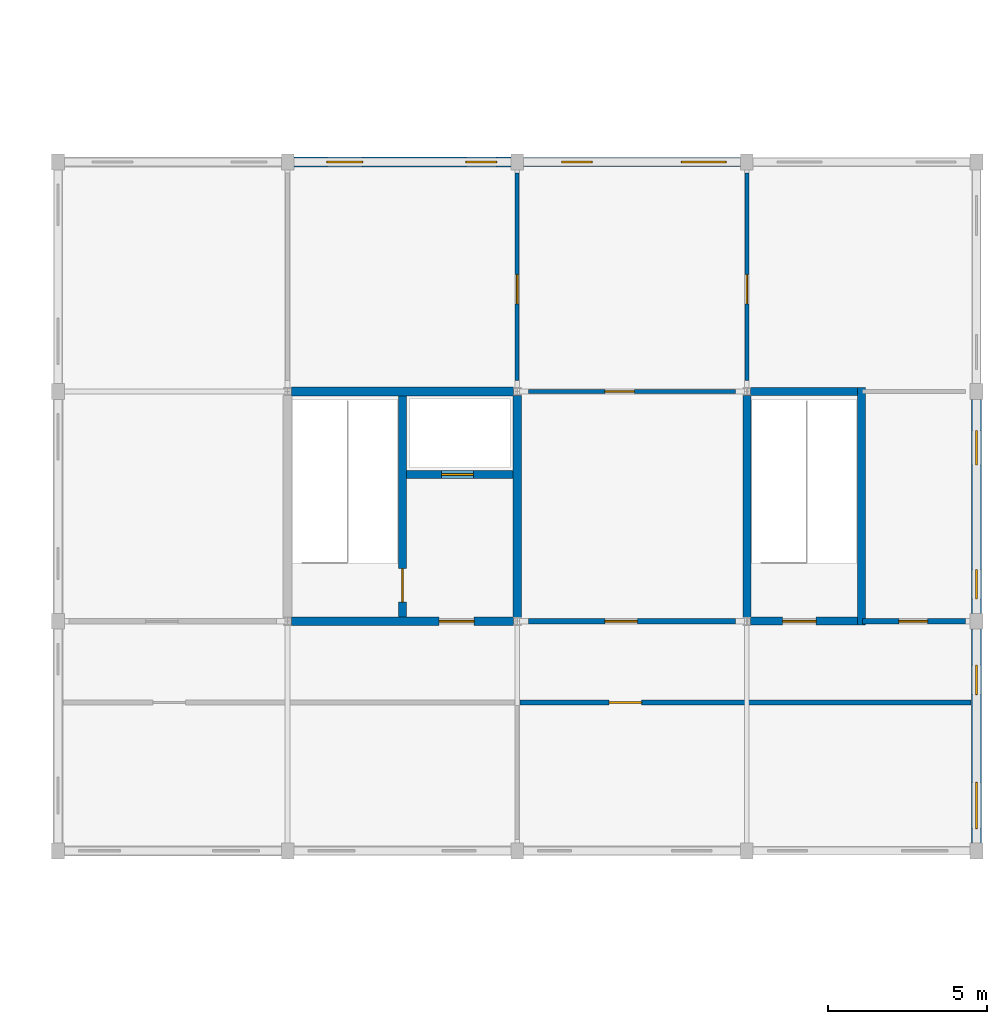
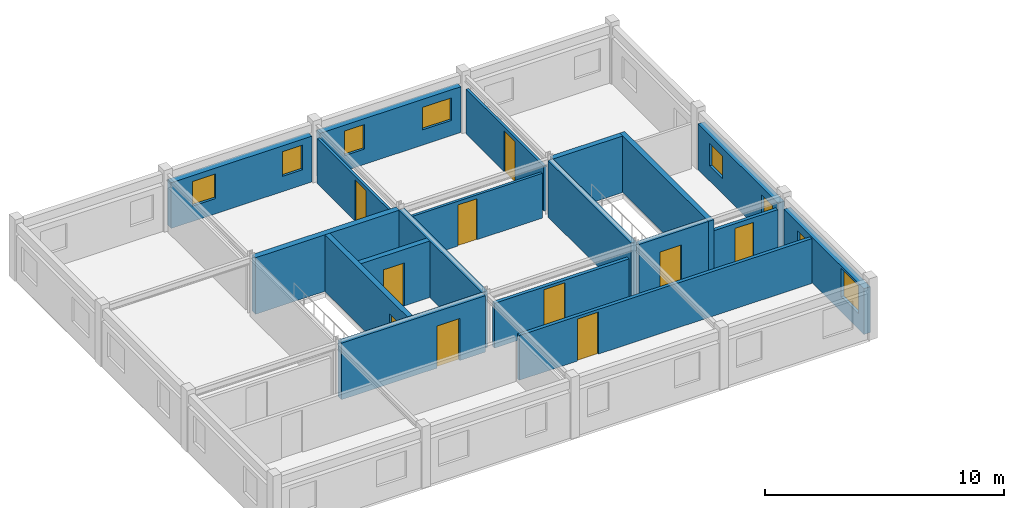
# One storey, part 23 of 50: 19 walls, 10 doors, 8 windows, 18 openings.
"""IFC4 building model written with IfcOpenShell, lengths in metres."""

from ifc_helpers import new_model, si_unit, direction, frame, frame_2d, origin, place, context, subcontext, project, spatial, rectangle, extrude, material, layer, layer_set, type_object, element, fill, save


model = new_model("IFC4")

# Units and contexts
model_context = context("Model", 3, precision=1e-05, world=origin(), true_north=direction((0.0, 1.0)))
body_context = subcontext(model_context, "Body", "Model", "MODEL_VIEW")
ifc_project = project(units=[si_unit("LENGTHUNIT", "METRE"), si_unit("AREAUNIT", "SQUARE_METRE"), si_unit("VOLUMEUNIT", "CUBIC_METRE"), si_unit("PLANEANGLEUNIT", "RADIAN"), si_unit("MASSUNIT", "GRAM", prefix="KILO"), si_unit("THERMODYNAMICTEMPERATUREUNIT", "KELVIN"), si_unit("POWERUNIT", "WATT")], contexts=[model_context])

# Site, building, storey
site_placement = place(None, origin())
site = spatial("IfcSite", under=ifc_project, at=site_placement, CompositionType="ELEMENT")
building_placement = place(site_placement, origin())
building = spatial("IfcBuilding", under=site, at=building_placement, Name="Tavuni Mirador Residences", CompositionType="ELEMENT")
storey_placement = place(building_placement, frame((0.0, 0.0, 4.5)))
storey = spatial("IfcBuildingStorey", under=building, at=storey_placement, Name="L01", CompositionType="ELEMENT", Elevation=4.5)

# Wall, opening, door
ifc_material_1 = material(Name="Precast concrete C40/50", Category="concrete")
ifc_layer_1 = layer(ifc_material_1, 0.25, Name="Precast concrete C40/50", Category="concrete")
ifc_layer_set_1 = layer_set([ifc_layer_1], Name="Precast concrete C40/50")
wall_type_1 = type_object("IfcWallType", Name="WT-COR250", PredefinedType="SHEAR", material=ifc_layer_set_1)
wall_1_placement = place(storey_placement, frame((100.800048828125, 50.5400390625, 0.0), z_axis=(0.0, 0.0, 1.0), x_axis=(0.0, 1.0, 0.0)))
wall_1 = element("IfcWall", 1, at=wall_1_placement, inside=storey, type_object=wall_type_1, Name="CWALL-CN1-L01-MID", PredefinedType="SHEAR", context=body_context, shape_type="SweptSolid", body=[
    extrude(rectangle(XDim=6.919921875, YDim=0.25, at=frame_2d((3.4599609375, 0.0))), origin(), (0.0, 0.0, 1.0), 2.889892578125),
])
opening_1_placement = place(wall_1_placement, frame((0.4599609375, 0.0, 0.0)))
opening_1 = element("IfcOpeningElement", 2, at=opening_1_placement, cuts=wall_1, Name="Opening D-01", PredefinedType="OPENING", context=body_context, shape_type="SweptSolid", body=[
    extrude(rectangle(XDim=1.050048828125, YDim=2.14990234375, at=frame_2d((0.52490234375, 1.074951171875))), frame((0.0, 0.135009765625, 0.0), z_axis=(0.0, -1.0, 0.0), x_axis=(1.0, 0.0, 0.0)), (0.0, 0.0, 1.0), 0.27001953125),
])
ifc_material_2 = material(Name="Solid core iroko timber", Category="wood")
door_type_1 = type_object("IfcDoorType", Name="DT-ST1050", OperationType="NOTDEFINED", PredefinedType="DOOR", material=ifc_material_2)
door_1_placement = place(opening_1_placement, origin())
door_1 = element("IfcDoor", 3, at=door_1_placement, inside=storey, type_object=door_type_1, Name="DR-2369", OperationType="SINGLE_SWING_LEFT", OverallHeight=2.14990234375, OverallWidth=1.050048828125, PredefinedType="DOOR", context=body_context, shape_type="SweptSolid", body=[
    extrude(rectangle(XDim=1.050048828125, YDim=2.14990234375, at=frame_2d((0.52490234375, 1.074951171875))), frame((0.0, 0.02490234375, 0.0), z_axis=(0.0, -1.0, 0.0), x_axis=(1.0, 0.0, 0.0)), (0.0, 0.0, 1.0), 0.050048828125),
])
fill(opening_1, door_1)

wall_2_placement = place(storey_placement, frame((100.925048828125, 55.0, 0.0), z_axis=(0.0, 0.0, 1.0), x_axis=(1.0, 0.0, 0.0)))
wall_2 = element("IfcWall", 4, at=wall_2_placement, inside=storey, type_object=wall_type_1, Name="CWALL-CN1-L01-SHF", PredefinedType="SHEAR", context=body_context, shape_type="SweptSolid", body=[
    extrude(rectangle(XDim=3.3349609375, YDim=0.25, at=frame_2d((1.66748046875, 0.0))), origin(), (0.0, 0.0, 1.0), 2.889892578125),
])
opening_2_placement = place(wall_2_placement, frame((1.10009765625, 0.0, 0.0)))
opening_2 = element("IfcOpeningElement", 5, at=opening_2_placement, cuts=wall_2, Name="Opening LD-02", PredefinedType="OPENING", context=body_context, shape_type="SweptSolid", body=[
    extrude(rectangle(XDim=1.0, YDim=2.199951171875, at=frame_2d((0.5, 1.10009765625))), frame((0.0, 0.135009765625, 0.0), z_axis=(0.0, -1.0, 0.0), x_axis=(1.0, 0.0, 0.0)), (0.0, 0.0, 1.0), 0.27001953125),
])
ifc_material_3 = material(Name="Structural steel S355", Category="steel")
door_type_2 = type_object("IfcDoorType", Name="DT-LD-PAX", OperationType="SLIDING_TO_LEFT", PredefinedType="DOOR", material=ifc_material_3)
door_2_placement = place(opening_2_placement, origin())
door_2 = element("IfcDoor", 6, at=door_2_placement, inside=storey, type_object=door_type_2, Name="Lift landing door PL-N1 L01", OperationType="SLIDING_TO_LEFT", OverallHeight=2.199951171875, OverallWidth=1.0, PredefinedType="DOOR", context=body_context, shape_type="SweptSolid", body=[
    extrude(rectangle(XDim=1.0, YDim=2.199951171875, at=frame_2d((0.5, 1.10009765625))), frame((0.0, 0.02490234375, 0.0), z_axis=(0.0, -1.0, 0.0), x_axis=(1.0, 0.0, 0.0)), (0.0, 0.0, 1.0), 0.050048828125),
])
fill(opening_2, door_2)

# Walls
wall_3_placement = place(storey_placement, frame((111.60009765625, 50.52001953125, 0.0), z_axis=(0.0, 0.0, 1.0), x_axis=(0.0, 1.0, 0.0)))
element("IfcWall", 7, at=wall_3_placement, inside=storey, type_object=wall_type_1, Name="CWALL-CN2-L01-W", PredefinedType="SHEAR", context=body_context, shape_type="SweptSolid", body=[
    extrude(rectangle(XDim=6.9599609375, YDim=0.25, at=frame_2d((3.47998046875, 0.0))), origin(), (0.0, 0.0, 1.0), 2.889892578125),
])
wall_4_placement = place(storey_placement, frame((115.199951171875, 50.27490234375, 0.0), z_axis=(0.0, 0.0, 1.0), x_axis=(0.0, 1.0, 0.0)))
element("IfcWall", 8, at=wall_4_placement, inside=storey, type_object=wall_type_1, Name="CWALL-CN2-L01-E", PredefinedType="SHEAR", context=body_context, shape_type="SweptSolid", body=[
    extrude(rectangle(XDim=7.4501953125, YDim=0.25, at=frame_2d((3.72509765625, 0.0))), origin(), (0.0, 0.0, 1.0), 2.889892578125),
])
wall_5_placement = place(storey_placement, frame((111.719970703125, 57.60009765625, 0.0), z_axis=(0.0, 0.0, 1.0), x_axis=(1.0, 0.0, 0.0)))
element("IfcWall", 9, at=wall_5_placement, inside=storey, type_object=wall_type_1, Name="CWALL-CN2-L01-N", PredefinedType="SHEAR", context=body_context, shape_type="SweptSolid", body=[
    extrude(rectangle(XDim=3.35498046875, YDim=0.25, at=frame_2d((1.677490234375, 0.0))), origin(), (0.0, 0.0, 1.0), 2.889892578125),
])

# Wall, opening, door
wall_6_placement = place(storey_placement, frame((111.719970703125, 50.39990234375, 0.0), z_axis=(0.0, 0.0, 1.0), x_axis=(1.0, 0.0, 0.0)))
wall_6 = element("IfcWall", 10, at=wall_6_placement, inside=storey, type_object=wall_type_1, Name="CWALL-CN2-L01-SS", PredefinedType="SHEAR", context=body_context, shape_type="SweptSolid", body=[
    extrude(rectangle(XDim=3.35498046875, YDim=0.25, at=frame_2d((1.677490234375, 0.0))), origin(), (0.0, 0.0, 1.0), 2.889892578125),
])
opening_3_placement = place(wall_6_placement, frame((1.0, 0.0, 0.0)))
opening_3 = element("IfcOpeningElement", 11, at=opening_3_placement, cuts=wall_6, Name="Opening D-01", PredefinedType="OPENING", context=body_context, shape_type="SweptSolid", body=[
    extrude(rectangle(XDim=1.050048828125, YDim=2.14990234375, at=frame_2d((0.52490234375, 1.074951171875))), frame((0.0, 0.135009765625, 0.0), z_axis=(0.0, -1.0, 0.0), x_axis=(1.0, 0.0, 0.0)), (0.0, 0.0, 1.0), 0.27001953125),
])
door_3_placement = place(opening_3_placement, frame((1.050048828125, 0.0, 0.0), z_axis=(0.0, 0.0, 1.0), x_axis=(-1.0, 0.0, 0.0)))
door_3 = element("IfcDoor", 12, at=door_3_placement, inside=storey, type_object=door_type_1, Name="DR-2372", OperationType="SINGLE_SWING_LEFT", OverallHeight=2.14990234375, OverallWidth=1.050048828125, PredefinedType="DOOR", context=body_context, shape_type="SweptSolid", body=[
    extrude(rectangle(XDim=1.050048828125, YDim=2.14990234375, at=frame_2d((0.52490234375, 1.074951171875))), frame((0.0, 0.02490234375, 0.0), z_axis=(0.0, -1.0, 0.0), x_axis=(1.0, 0.0, 0.0)), (0.0, 0.0, 1.0), 0.050048828125),
])
fill(opening_3, door_3)

# Walls
ifc_layer_2 = layer(ifc_material_1, 0.280029296875, Name="Precast concrete C40/50", Category="concrete")
ifc_layer_set_2 = layer_set([ifc_layer_2], Name="Precast concrete C40/50")
wall_type_2 = type_object("IfcWallType", Name="WT-COR280", PredefinedType="SHEAR", material=ifc_layer_set_2)
for number, where, z_axis, x_axis, name in (
    (13, (97.320068359375, 57.60009765625, 0.0), (0.0, 0.0, 1.0), (1.0, 0.0, 0.0), "CWALL-CN1-L01-N"),
    (14, (104.39990234375, 50.52001953125, 0.0), (0.0, 0.0, 1.0), (0.0, 1.0, 0.0), "CWALL-CN1-L01-E"),
):
    element("IfcWall", number, at=place(storey_placement, frame(where, z_axis=z_axis, x_axis=x_axis)), inside=storey, type_object=wall_type_2, Name=name, PredefinedType="SHEAR", context=body_context, shape_type="SweptSolid", body=[
        extrude(rectangle(XDim=6.9599609375, YDim=0.280029296875, at=frame_2d((3.47998046875, 0.0))), origin(), (0.0, 0.0, 1.0), 2.889892578125),
    ])

# Wall, opening, door
wall_7_placement = place(storey_placement, frame((97.320068359375, 50.39990234375, 0.0), z_axis=(0.0, 0.0, 1.0), x_axis=(1.0, 0.0, 0.0)))
wall_7 = element("IfcWall", 15, at=wall_7_placement, inside=storey, type_object=wall_type_2, Name="CWALL-CN1-L01-SS", PredefinedType="SHEAR", context=body_context, shape_type="SweptSolid", body=[
    extrude(rectangle(XDim=6.9599609375, YDim=0.280029296875, at=frame_2d((3.47998046875, 0.0))), origin(), (0.0, 0.0, 1.0), 2.889892578125),
])
opening_4_placement = place(wall_7_placement, frame((4.6298828125, 0.0, 0.0)))
opening_4 = element("IfcOpeningElement", 16, at=opening_4_placement, cuts=wall_7, Name="Opening D-02", PredefinedType="OPENING", context=body_context, shape_type="SweptSolid", body=[
    extrude(rectangle(XDim=1.10009765625, YDim=2.14990234375, at=frame_2d((0.550048828125, 1.074951171875))), frame((0.0, 0.14990234375, 0.0), z_axis=(0.0, -1.0, 0.0), x_axis=(1.0, 0.0, 0.0)), (0.0, 0.0, 1.0), 0.300048828125),
])
door_type_3 = type_object("IfcDoorType", Name="DT-LOB1100", OperationType="NOTDEFINED", PredefinedType="DOOR", material=ifc_material_2)
door_4_placement = place(opening_4_placement, frame((1.10009765625, 0.0, 0.0), z_axis=(0.0, 0.0, 1.0), x_axis=(-1.0, 0.0, 0.0)))
door_4 = element("IfcDoor", 17, at=door_4_placement, inside=storey, type_object=door_type_3, Name="DR-2368", OperationType="SINGLE_SWING_RIGHT", OverallHeight=2.14990234375, OverallWidth=1.10009765625, PredefinedType="DOOR", context=body_context, shape_type="SweptSolid", body=[
    extrude(rectangle(XDim=1.10009765625, YDim=2.14990234375, at=frame_2d((0.550048828125, 1.074951171875))), frame((0.0, 0.02490234375, 0.0), z_axis=(0.0, -1.0, 0.0), x_axis=(1.0, 0.0, 0.0)), (0.0, 0.0, 1.0), 0.050048828125),
])
fill(opening_4, door_4)

ifc_layer_3 = layer(ifc_material_1, 0.1650390625, Name="Precast concrete C40/50", Category="concrete")
ifc_layer_set_3 = layer_set([ifc_layer_3], Name="Precast concrete C40/50")
wall_type_3 = type_object("IfcWallType", Name="WT-CORR165", PredefinedType="PARTITIONING", material=ifc_layer_set_3)
wall_8_placement = place(storey_placement, frame((104.47998046875, 47.85009765625, 0.0), z_axis=(0.0, 0.0, 1.0), x_axis=(1.0, 0.0, 0.0)))
wall_8 = element("IfcWall", 18, at=wall_8_placement, inside=storey, type_object=wall_type_3, Name="PW-NURS-L01-CS2", PredefinedType="PARTITIONING", context=body_context, shape_type="SweptSolid", body=[
    extrude(rectangle(XDim=14.14501953125, YDim=0.1650390625, at=frame_2d((7.072509765625, 0.0))), origin(), (0.0, 0.0, 1.0), 2.2900390625),
])
opening_5_placement = place(wall_8_placement, frame((2.800048828125, 0.0, 0.0)))
opening_5 = element("IfcOpeningElement", 19, at=opening_5_placement, cuts=wall_8, Name="Opening D-13", PredefinedType="OPENING", context=body_context, shape_type="SweptSolid", body=[
    extrude(rectangle(XDim=1.02001953125, YDim=2.14990234375, at=frame_2d((0.510009765625, 1.074951171875))), frame((0.0, 0.092529296875, 0.0), z_axis=(0.0, -1.0, 0.0), x_axis=(1.0, 0.0, 0.0)), (0.0, 0.0, 1.0), 0.18505859375),
])
door_type_4 = type_object("IfcDoorType", Name="DT-MTG1020", OperationType="NOTDEFINED", PredefinedType="DOOR", material=ifc_material_2)
door_5_placement = place(opening_5_placement, origin())
door_5 = element("IfcDoor", 20, at=door_5_placement, inside=storey, type_object=door_type_4, Name="DR-4804", OperationType="SINGLE_SWING_LEFT", OverallHeight=2.14990234375, OverallWidth=1.02001953125, PredefinedType="DOOR", context=body_context, shape_type="SweptSolid", body=[
    extrude(rectangle(XDim=1.02001953125, YDim=2.14990234375, at=frame_2d((0.510009765625, 1.074951171875))), frame((0.0, 0.02490234375, 0.0), z_axis=(0.0, -1.0, 0.0), x_axis=(1.0, 0.0, 0.0)), (0.0, 0.0, 1.0), 0.050048828125),
])
fill(opening_5, door_5)

wall_9_placement = place(storey_placement, frame((104.75, 50.39990234375, 0.0), z_axis=(0.0, 0.0, 1.0), x_axis=(1.0, 0.0, 0.0)))
wall_9 = element("IfcWall", 21, at=wall_9_placement, inside=storey, type_object=wall_type_3, Name="PW-NURS-L01-CN2", PredefinedType="PARTITIONING", context=body_context, shape_type="SweptSolid", body=[
    extrude(rectangle(XDim=6.5, YDim=0.1650390625, at=frame_2d((3.25, 0.0))), origin(), (0.0, 0.0, 1.0), 2.2900390625),
])
opening_6_placement = place(wall_9_placement, frame((2.39990234375, 0.0, 0.0)))
opening_6 = element("IfcOpeningElement", 22, at=opening_6_placement, cuts=wall_9, Name="Opening D-13", PredefinedType="OPENING", context=body_context, shape_type="SweptSolid", body=[
    extrude(rectangle(XDim=1.02001953125, YDim=2.14990234375, at=frame_2d((0.510009765625, 1.074951171875))), frame((0.0, 0.092529296875, 0.0), z_axis=(0.0, -1.0, 0.0), x_axis=(1.0, 0.0, 0.0)), (0.0, 0.0, 1.0), 0.18505859375),
])
door_6_placement = place(opening_6_placement, origin())
door_6 = element("IfcDoor", 23, at=door_6_placement, inside=storey, type_object=door_type_4, Name="DR-4806", OperationType="SINGLE_SWING_LEFT", OverallHeight=2.14990234375, OverallWidth=1.02001953125, PredefinedType="DOOR", context=body_context, shape_type="SweptSolid", body=[
    extrude(rectangle(XDim=1.02001953125, YDim=2.14990234375, at=frame_2d((0.510009765625, 1.074951171875))), frame((0.0, 0.02490234375, 0.0), z_axis=(0.0, -1.0, 0.0), x_axis=(1.0, 0.0, 0.0)), (0.0, 0.0, 1.0), 0.050048828125),
])
fill(opening_6, door_6)

wall_10_placement = place(storey_placement, frame((115.219970703125, 50.39990234375, 0.0), z_axis=(0.0, 0.0, 1.0), x_axis=(1.0, 0.0, 0.0)))
wall_10 = element("IfcWall", 24, at=wall_10_placement, inside=storey, type_object=wall_type_3, Name="PW-NURS-L01-CN3", PredefinedType="PARTITIONING", context=body_context, shape_type="SweptSolid", body=[
    extrude(rectangle(XDim=3.22998046875, YDim=0.1650390625, at=frame_2d((1.614990234375, 0.0))), origin(), (0.0, 0.0, 1.0), 2.2900390625),
])
opening_7_placement = place(wall_10_placement, frame((1.14990234375, 0.0, 0.0)))
opening_7 = element("IfcOpeningElement", 25, at=opening_7_placement, cuts=wall_10, Name="Opening D-09", PredefinedType="OPENING", context=body_context, shape_type="SweptSolid", body=[
    extrude(rectangle(XDim=0.89990234375, YDim=2.050048828125, at=frame_2d((0.449951171875, 1.02490234375))), frame((0.0, 0.092529296875, 0.0), z_axis=(0.0, -1.0, 0.0), x_axis=(1.0, 0.0, 0.0)), (0.0, 0.0, 1.0), 0.18505859375),
])
door_type_5 = type_object("IfcDoorType", Name="DT-WC900", OperationType="NOTDEFINED", PredefinedType="DOOR", material=ifc_material_2)
door_7_placement = place(opening_7_placement, origin())
door_7 = element("IfcDoor", 26, at=door_7_placement, inside=storey, type_object=door_type_5, Name="DR-4807", OperationType="SINGLE_SWING_RIGHT", OverallHeight=2.050048828125, OverallWidth=0.89990234375, PredefinedType="DOOR", context=body_context, shape_type="SweptSolid", body=[
    extrude(rectangle(XDim=0.89990234375, YDim=2.050048828125, at=frame_2d((0.449951171875, 1.02490234375))), frame((0.0, 0.02490234375, 0.0), z_axis=(0.0, -1.0, 0.0), x_axis=(1.0, 0.0, 0.0)), (0.0, 0.0, 1.0), 0.050048828125),
])
fill(opening_7, door_7)

# Wall, openings, windows
ifc_material_4 = material(Name="Sgraffito lime-rendered precast concrete C40/50", Category="concrete")
ifc_layer_4 = layer(ifc_material_4, 0.2900390625, Name="Sgraffito lime-rendered precast concrete C40/50", Category="concrete")
ifc_layer_set_4 = layer_set([ifc_layer_4], Name="Sgraffito lime-rendered precast concrete C40/50")
wall_type_4 = type_object("IfcWallType", Name="WT-EXT-PC290", PredefinedType="SOLIDWALL", material=ifc_layer_set_4)
wall_11_placement = place(storey_placement, frame((111.39990234375, 64.800048828125, 0.0), z_axis=(0.0, 0.0, 1.0), x_axis=(-1.0, 0.0, 0.0)))
wall_11 = element("IfcWall", 27, at=wall_11_placement, inside=storey, type_object=wall_type_4, Name="EW-PAV-NURS-L01-N02", PredefinedType="SOLIDWALL", context=body_context, shape_type="SweptSolid", body=[
    extrude(rectangle(XDim=6.7998046875, YDim=0.2900390625, at=frame_2d((3.39990234375, 0.0))), origin(), (0.0, 0.0, 1.0), 2.340087890625),
])
opening_8_placement = place(wall_11_placement, frame((0.449951171875, 0.0, 0.780029296875)))
opening_8 = element("IfcOpeningElement", 28, at=opening_8_placement, cuts=wall_11, Name="Opening WN-08", PredefinedType="OPENING", context=body_context, shape_type="SweptSolid", body=[
    extrude(rectangle(XDim=1.39990234375, YDim=1.14990234375, at=frame_2d((0.699951171875, 0.574951171875))), frame((0.0, 0.155029296875, 0.0), z_axis=(0.0, -1.0, 0.0), x_axis=(1.0, 0.0, 0.0)), (0.0, 0.0, 1.0), 0.31005859375),
])
opening_9_placement = place(wall_11_placement, frame((4.64990234375, 0.0, 0.780029296875)))
opening_9 = element("IfcOpeningElement", 29, at=opening_9_placement, cuts=wall_11, Name="Opening WN-10", PredefinedType="OPENING", context=body_context, shape_type="SweptSolid", body=[
    extrude(rectangle(XDim=0.9599609375, YDim=1.260009765625, at=frame_2d((0.47998046875, 0.6298828125))), frame((0.0, 0.155029296875, 0.0), z_axis=(0.0, -1.0, 0.0), x_axis=(1.0, 0.0, 0.0)), (0.0, 0.0, 1.0), 0.31005859375),
])
ifc_material_5 = material(Name="Laminated solar-control glass", Category="glass")
window_type_1 = type_object("IfcWindowType", Name="WNT-08", PartitioningType="SINGLE_PANEL", PredefinedType="WINDOW", material=ifc_material_5)
window_1_placement = place(opening_8_placement, origin())
window_1 = element("IfcWindow", 30, at=window_1_placement, inside=storey, type_object=window_type_1, Name="WIN-1866", OverallHeight=1.14990234375, OverallWidth=1.39990234375, PartitioningType="SINGLE_PANEL", PredefinedType="WINDOW", context=body_context, shape_type="SweptSolid", body=[
    extrude(rectangle(XDim=1.39990234375, YDim=1.14990234375, at=frame_2d((0.699951171875, 0.574951171875))), frame((0.0, 0.030029296875, 0.0), z_axis=(0.0, -1.0, 0.0), x_axis=(1.0, 0.0, 0.0)), (0.0, 0.0, 1.0), 0.06005859375),
])
fill(opening_8, window_1)
window_type_2 = type_object("IfcWindowType", Name="WNT-10", PartitioningType="SINGLE_PANEL", PredefinedType="WINDOW", material=ifc_material_5)
window_2_placement = place(opening_9_placement, origin())
window_2 = element("IfcWindow", 31, at=window_2_placement, inside=storey, type_object=window_type_2, Name="WIN-1867", OverallHeight=1.260009765625, OverallWidth=0.9599609375, PartitioningType="SINGLE_PANEL", PredefinedType="WINDOW", context=body_context, shape_type="SweptSolid", body=[
    extrude(rectangle(XDim=0.9599609375, YDim=1.260009765625, at=frame_2d((0.47998046875, 0.6298828125))), frame((0.0, 0.030029296875, 0.0), z_axis=(0.0, -1.0, 0.0), x_axis=(1.0, 0.0, 0.0)), (0.0, 0.0, 1.0), 0.06005859375),
])
fill(opening_9, window_2)

ifc_layer_5 = layer(ifc_material_4, 0.304931640625, Name="Sgraffito lime-rendered precast concrete C40/50", Category="concrete")
ifc_layer_set_5 = layer_set([ifc_layer_5], Name="Sgraffito lime-rendered precast concrete C40/50")
wall_type_5 = type_object("IfcWallType", Name="WT-EXT-PC305", PredefinedType="SOLIDWALL", material=ifc_layer_set_5)
wall_12_placement = place(storey_placement, frame((118.800048828125, 50.64990234375, 0.0), z_axis=(0.0, 0.0, 1.0), x_axis=(0.0, 1.0, 0.0)))
wall_12 = element("IfcWall", 32, at=wall_12_placement, inside=storey, type_object=wall_type_5, Name="EW-PAV-NURS-L01-E01", PredefinedType="SOLIDWALL", context=body_context, shape_type="SweptSolid", body=[
    extrude(rectangle(XDim=6.7001953125, YDim=0.304931640625, at=frame_2d((3.35009765625, 0.0))), origin(), (0.0, 0.0, 1.0), 2.340087890625),
])
opening_10_placement = place(wall_12_placement, frame((0.449951171875, 0.0, 0.780029296875)))
opening_10 = element("IfcOpeningElement", 33, at=opening_10_placement, cuts=wall_12, Name="Opening WN-02", PredefinedType="OPENING", context=body_context, shape_type="SweptSolid", body=[
    extrude(rectangle(XDim=0.919921875, YDim=1.14990234375, at=frame_2d((0.4599609375, 0.574951171875))), frame((0.0, 0.16259765625, 0.0), z_axis=(0.0, -1.0, 0.0), x_axis=(1.0, 0.0, 0.0)), (0.0, 0.0, 1.0), 0.324951171875),
])
opening_11_placement = place(wall_12_placement, frame((4.64990234375, 0.0, 0.780029296875)))
opening_11 = element("IfcOpeningElement", 34, at=opening_11_placement, cuts=wall_12, Name="Opening WN-04", PredefinedType="OPENING", context=body_context, shape_type="SweptSolid", body=[
    extrude(rectangle(XDim=1.080078125, YDim=1.14990234375, at=frame_2d((0.5400390625, 0.574951171875))), frame((0.0, 0.16259765625, 0.0), z_axis=(0.0, -1.0, 0.0), x_axis=(1.0, 0.0, 0.0)), (0.0, 0.0, 1.0), 0.324951171875),
])
window_type_3 = type_object("IfcWindowType", Name="WNT-02", PartitioningType="SINGLE_PANEL", PredefinedType="WINDOW", material=ifc_material_5)
window_3_placement = place(opening_10_placement, origin())
window_3 = element("IfcWindow", 35, at=window_3_placement, inside=storey, type_object=window_type_3, Name="WIN-1860", OverallHeight=1.14990234375, OverallWidth=0.919921875, PartitioningType="SINGLE_PANEL", PredefinedType="WINDOW", context=body_context, shape_type="SweptSolid", body=[
    extrude(rectangle(XDim=0.919921875, YDim=1.14990234375, at=frame_2d((0.4599609375, 0.574951171875))), frame((0.0, 0.030029296875, 0.0), z_axis=(0.0, -1.0, 0.0), x_axis=(1.0, 0.0, 0.0)), (0.0, 0.0, 1.0), 0.06005859375),
])
fill(opening_10, window_3)
window_type_4 = type_object("IfcWindowType", Name="WNT-04", PartitioningType="SINGLE_PANEL", PredefinedType="WINDOW", material=ifc_material_5)
window_4_placement = place(opening_11_placement, origin())
window_4 = element("IfcWindow", 36, at=window_4_placement, inside=storey, type_object=window_type_4, Name="WIN-1861", OverallHeight=1.14990234375, OverallWidth=1.080078125, PartitioningType="SINGLE_PANEL", PredefinedType="WINDOW", context=body_context, shape_type="SweptSolid", body=[
    extrude(rectangle(XDim=1.080078125, YDim=1.14990234375, at=frame_2d((0.5400390625, 0.574951171875))), frame((0.0, 0.030029296875, 0.0), z_axis=(0.0, -1.0, 0.0), x_axis=(1.0, 0.0, 0.0)), (0.0, 0.0, 1.0), 0.06005859375),
])
fill(opening_11, window_4)

wall_13_placement = place(storey_placement, frame((104.199951171875, 64.800048828125, 0.0), z_axis=(0.0, 0.0, 1.0), x_axis=(-1.0, 0.0, 0.0)))
wall_13 = element("IfcWall", 37, at=wall_13_placement, inside=storey, type_object=wall_type_5, Name="EW-PAV-NURS-L01-N01", PredefinedType="SOLIDWALL", context=body_context, shape_type="SweptSolid", body=[
    extrude(rectangle(XDim=6.800048828125, YDim=0.304931640625, at=frame_2d((3.39990234375, 0.0))), origin(), (0.0, 0.0, 1.0), 2.340087890625),
])
opening_12_placement = place(wall_13_placement, frame((0.449951171875, 0.0, 0.780029296875)))
opening_12 = element("IfcOpeningElement", 38, at=opening_12_placement, cuts=wall_13, Name="Opening WN-10", PredefinedType="OPENING", context=body_context, shape_type="SweptSolid", body=[
    extrude(rectangle(XDim=0.9599609375, YDim=1.260009765625, at=frame_2d((0.47998046875, 0.6298828125))), frame((0.0, 0.16259765625, 0.0), z_axis=(0.0, -1.0, 0.0), x_axis=(1.0, 0.0, 0.0)), (0.0, 0.0, 1.0), 0.324951171875),
])
opening_13_placement = place(wall_13_placement, frame((4.64990234375, 0.0, 0.780029296875)))
opening_13 = element("IfcOpeningElement", 39, at=opening_13_placement, cuts=wall_13, Name="Opening WN-12", PredefinedType="OPENING", context=body_context, shape_type="SweptSolid", body=[
    extrude(rectangle(XDim=1.1201171875, YDim=1.260009765625, at=frame_2d((0.56005859375, 0.6298828125))), frame((0.0, 0.16259765625, 0.0), z_axis=(0.0, -1.0, 0.0), x_axis=(1.0, 0.0, 0.0)), (0.0, 0.0, 1.0), 0.324951171875),
])
window_5_placement = place(opening_12_placement, origin())
window_5 = element("IfcWindow", 40, at=window_5_placement, inside=storey, type_object=window_type_2, Name="WIN-1868", OverallHeight=1.260009765625, OverallWidth=0.9599609375, PartitioningType="SINGLE_PANEL", PredefinedType="WINDOW", context=body_context, shape_type="SweptSolid", body=[
    extrude(rectangle(XDim=0.9599609375, YDim=1.260009765625, at=frame_2d((0.47998046875, 0.6298828125))), frame((0.0, 0.030029296875, 0.0), z_axis=(0.0, -1.0, 0.0), x_axis=(1.0, 0.0, 0.0)), (0.0, 0.0, 1.0), 0.06005859375),
])
fill(opening_12, window_5)
window_type_5 = type_object("IfcWindowType", Name="WNT-12", PartitioningType="SINGLE_PANEL", PredefinedType="WINDOW", material=ifc_material_5)
window_6_placement = place(opening_13_placement, origin())
window_6 = element("IfcWindow", 41, at=window_6_placement, inside=storey, type_object=window_type_5, Name="WIN-1869", OverallHeight=1.260009765625, OverallWidth=1.1201171875, PartitioningType="SINGLE_PANEL", PredefinedType="WINDOW", context=body_context, shape_type="SweptSolid", body=[
    extrude(rectangle(XDim=1.1201171875, YDim=1.260009765625, at=frame_2d((0.56005859375, 0.6298828125))), frame((0.0, 0.030029296875, 0.0), z_axis=(0.0, -1.0, 0.0), x_axis=(1.0, 0.0, 0.0)), (0.0, 0.0, 1.0), 0.06005859375),
])
fill(opening_13, window_6)

ifc_layer_6 = layer(ifc_material_4, 0.31494140625, Name="Sgraffito lime-rendered precast concrete C40/50", Category="concrete")
ifc_layer_set_6 = layer_set([ifc_layer_6], Name="Sgraffito lime-rendered precast concrete C40/50")
wall_type_6 = type_object("IfcWallType", Name="WT-EXT-PC315", PredefinedType="SOLIDWALL", material=ifc_layer_set_6)
wall_14_placement = place(storey_placement, frame((118.800048828125, 43.449951171875, 0.0), z_axis=(0.0, 0.0, 1.0), x_axis=(0.0, 1.0, 0.0)))
wall_14 = element("IfcWall", 42, at=wall_14_placement, inside=storey, type_object=wall_type_6, Name="EW-PAV-NURS-L01-E00", PredefinedType="SOLIDWALL", context=body_context, shape_type="SweptSolid", body=[
    extrude(rectangle(XDim=6.699951171875, YDim=0.31494140625, at=frame_2d((3.35009765625, 0.0))), origin(), (0.0, 0.0, 1.0), 2.340087890625),
])
opening_14_placement = place(wall_14_placement, frame((0.449951171875, 0.0, 0.780029296875)))
opening_14 = element("IfcOpeningElement", 43, at=opening_14_placement, cuts=wall_14, Name="Opening WN-30", PredefinedType="OPENING", context=body_context, shape_type="SweptSolid", body=[
    extrude(rectangle(XDim=1.449951171875, YDim=1.43994140625, at=frame_2d((0.72509765625, 0.719970703125))), frame((0.0, 0.16748046875, 0.0), z_axis=(0.0, -1.0, 0.0), x_axis=(1.0, 0.0, 0.0)), (0.0, 0.0, 1.0), 0.3349609375),
])
opening_15_placement = place(wall_14_placement, frame((4.64990234375, 0.0, 0.780029296875)))
opening_15 = element("IfcOpeningElement", 44, at=opening_15_placement, cuts=wall_14, Name="Opening WN-02", PredefinedType="OPENING", context=body_context, shape_type="SweptSolid", body=[
    extrude(rectangle(XDim=0.919921875, YDim=1.14990234375, at=frame_2d((0.4599609375, 0.574951171875))), frame((0.0, 0.16748046875, 0.0), z_axis=(0.0, -1.0, 0.0), x_axis=(1.0, 0.0, 0.0)), (0.0, 0.0, 1.0), 0.3349609375),
])
window_7_placement = place(opening_15_placement, origin())
window_7 = element("IfcWindow", 45, at=window_7_placement, inside=storey, type_object=window_type_3, Name="WIN-1859", OverallHeight=1.14990234375, OverallWidth=0.919921875, PartitioningType="SINGLE_PANEL", PredefinedType="WINDOW", context=body_context, shape_type="SweptSolid", body=[
    extrude(rectangle(XDim=0.919921875, YDim=1.14990234375, at=frame_2d((0.4599609375, 0.574951171875))), frame((0.0, 0.030029296875, 0.0), z_axis=(0.0, -1.0, 0.0), x_axis=(1.0, 0.0, 0.0)), (0.0, 0.0, 1.0), 0.06005859375),
])
fill(opening_15, window_7)
window_type_6 = type_object("IfcWindowType", Name="WNT-30", PartitioningType="SINGLE_PANEL", PredefinedType="WINDOW", material=ifc_material_5)
window_8_placement = place(opening_14_placement, origin())
window_8 = element("IfcWindow", 46, at=window_8_placement, inside=storey, type_object=window_type_6, Name="WIN-1858", OverallHeight=1.43994140625, OverallWidth=1.449951171875, PartitioningType="SINGLE_PANEL", PredefinedType="WINDOW", context=body_context, shape_type="SweptSolid", body=[
    extrude(rectangle(XDim=1.449951171875, YDim=1.43994140625, at=frame_2d((0.72509765625, 0.719970703125))), frame((0.0, 0.030029296875, 0.0), z_axis=(0.0, -1.0, 0.0), x_axis=(1.0, 0.0, 0.0)), (0.0, 0.0, 1.0), 0.06005859375),
])
fill(opening_14, window_8)

# Wall, opening, door
ifc_material_6 = material(Name="Acoustic gypsum and concrete block partition", Category="concrete")
ifc_layer_7 = layer(ifc_material_6, 0.125, Name="Acoustic gypsum and concrete block partition", Category="concrete")
ifc_layer_set_7 = layer_set([ifc_layer_7], Name="Acoustic gypsum and concrete block partition")
wall_type_7 = type_object("IfcWallType", Name="WT-PART125", PredefinedType="PARTITIONING", material=ifc_layer_set_7)
wall_15_placement = place(storey_placement, frame((104.75, 57.60009765625, 0.0), z_axis=(0.0, 0.0, 1.0), x_axis=(1.0, 0.0, 0.0)))
wall_15 = element("IfcWall", 47, at=wall_15_placement, inside=storey, type_object=wall_type_7, Name="PW-NURS-L01-N2", PredefinedType="PARTITIONING", context=body_context, shape_type="SweptSolid", body=[
    extrude(rectangle(XDim=6.5, YDim=0.125, at=frame_2d((3.25, 0.0))), origin(), (0.0, 0.0, 1.0), 2.2900390625),
])
opening_16_placement = place(wall_15_placement, frame((2.39990234375, 0.0, 0.0)))
opening_16 = element("IfcOpeningElement", 48, at=opening_16_placement, cuts=wall_15, Name="Opening D-06", PredefinedType="OPENING", context=body_context, shape_type="SweptSolid", body=[
    extrude(rectangle(XDim=0.919921875, YDim=2.10009765625, at=frame_2d((0.4599609375, 1.050048828125))), frame((0.0, 0.072509765625, 0.0), z_axis=(0.0, -1.0, 0.0), x_axis=(1.0, 0.0, 0.0)), (0.0, 0.0, 1.0), 0.14501953125),
])
door_type_6 = type_object("IfcDoorType", Name="DT-INT920", OperationType="NOTDEFINED", PredefinedType="DOOR", material=ifc_material_2)
door_8_placement = place(opening_16_placement, origin())
door_8 = element("IfcDoor", 49, at=door_8_placement, inside=storey, type_object=door_type_6, Name="DR-4808", OperationType="SINGLE_SWING_LEFT", OverallHeight=2.10009765625, OverallWidth=0.919921875, PredefinedType="DOOR", context=body_context, shape_type="SweptSolid", body=[
    extrude(rectangle(XDim=0.919921875, YDim=2.10009765625, at=frame_2d((0.4599609375, 1.050048828125))), frame((0.0, 0.02490234375, 0.0), z_axis=(0.0, -1.0, 0.0), x_axis=(1.0, 0.0, 0.0)), (0.0, 0.0, 1.0), 0.050048828125),
])
fill(opening_16, door_8)

wall_16_placement = place(storey_placement, frame((104.39990234375, 57.949951171875, 0.0), z_axis=(0.0, 0.0, 1.0), x_axis=(0.0, 1.0, 0.0)))
wall_16 = element("IfcWall", 50, at=wall_16_placement, inside=storey, type_object=wall_type_7, Name="PW-NURS-L01-NV2", PredefinedType="PARTITIONING", context=body_context, shape_type="SweptSolid", body=[
    extrude(rectangle(XDim=6.5, YDim=0.125, at=frame_2d((3.25, 0.0))), origin(), (0.0, 0.0, 1.0), 2.2900390625),
])
opening_17_placement = place(wall_16_placement, frame((2.39990234375, 0.0, 0.0)))
opening_17 = element("IfcOpeningElement", 51, at=opening_17_placement, cuts=wall_16, Name="Opening D-06", PredefinedType="OPENING", context=body_context, shape_type="SweptSolid", body=[
    extrude(rectangle(XDim=0.919921875, YDim=2.10009765625, at=frame_2d((0.4599609375, 1.050048828125))), frame((0.0, 0.072509765625, 0.0), z_axis=(0.0, -1.0, 0.0), x_axis=(1.0, 0.0, 0.0)), (0.0, 0.0, 1.0), 0.14501953125),
])
door_9_placement = place(opening_17_placement, origin())
door_9 = element("IfcDoor", 52, at=door_9_placement, inside=storey, type_object=door_type_6, Name="DR-4809", OperationType="SINGLE_SWING_RIGHT", OverallHeight=2.10009765625, OverallWidth=0.919921875, PredefinedType="DOOR", context=body_context, shape_type="SweptSolid", body=[
    extrude(rectangle(XDim=0.919921875, YDim=2.10009765625, at=frame_2d((0.4599609375, 1.050048828125))), frame((0.0, 0.02490234375, 0.0), z_axis=(0.0, -1.0, 0.0), x_axis=(1.0, 0.0, 0.0)), (0.0, 0.0, 1.0), 0.050048828125),
])
fill(opening_17, door_9)

wall_17_placement = place(storey_placement, frame((111.60009765625, 57.949951171875, 0.0), z_axis=(0.0, 0.0, 1.0), x_axis=(0.0, 1.0, 0.0)))
wall_17 = element("IfcWall", 53, at=wall_17_placement, inside=storey, type_object=wall_type_7, Name="PW-NURS-L01-NV3", PredefinedType="PARTITIONING", context=body_context, shape_type="SweptSolid", body=[
    extrude(rectangle(XDim=6.5, YDim=0.125, at=frame_2d((3.25, 0.0))), origin(), (0.0, 0.0, 1.0), 2.2900390625),
])
opening_18_placement = place(wall_17_placement, frame((2.39990234375, 0.0, 0.0)))
opening_18 = element("IfcOpeningElement", 54, at=opening_18_placement, cuts=wall_17, Name="Opening D-06", PredefinedType="OPENING", context=body_context, shape_type="SweptSolid", body=[
    extrude(rectangle(XDim=0.919921875, YDim=2.10009765625, at=frame_2d((0.4599609375, 1.050048828125))), frame((0.0, 0.072509765625, 0.0), z_axis=(0.0, -1.0, 0.0), x_axis=(1.0, 0.0, 0.0)), (0.0, 0.0, 1.0), 0.14501953125),
])
door_10_placement = place(opening_18_placement, origin())
door_10 = element("IfcDoor", 55, at=door_10_placement, inside=storey, type_object=door_type_6, Name="DR-4810", OperationType="SINGLE_SWING_LEFT", OverallHeight=2.10009765625, OverallWidth=0.919921875, PredefinedType="DOOR", context=body_context, shape_type="SweptSolid", body=[
    extrude(rectangle(XDim=0.919921875, YDim=2.10009765625, at=frame_2d((0.4599609375, 1.050048828125))), frame((0.0, 0.02490234375, 0.0), z_axis=(0.0, -1.0, 0.0), x_axis=(1.0, 0.0, 0.0)), (0.0, 0.0, 1.0), 0.050048828125),
])
fill(opening_18, door_10)

save(model, "model.ifc")
